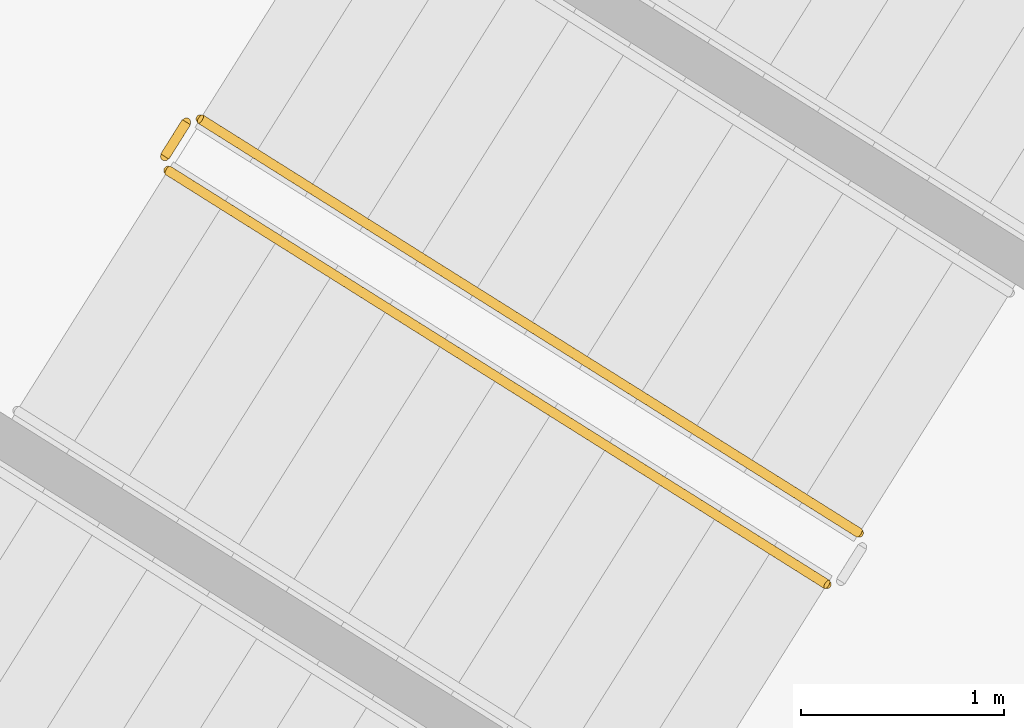
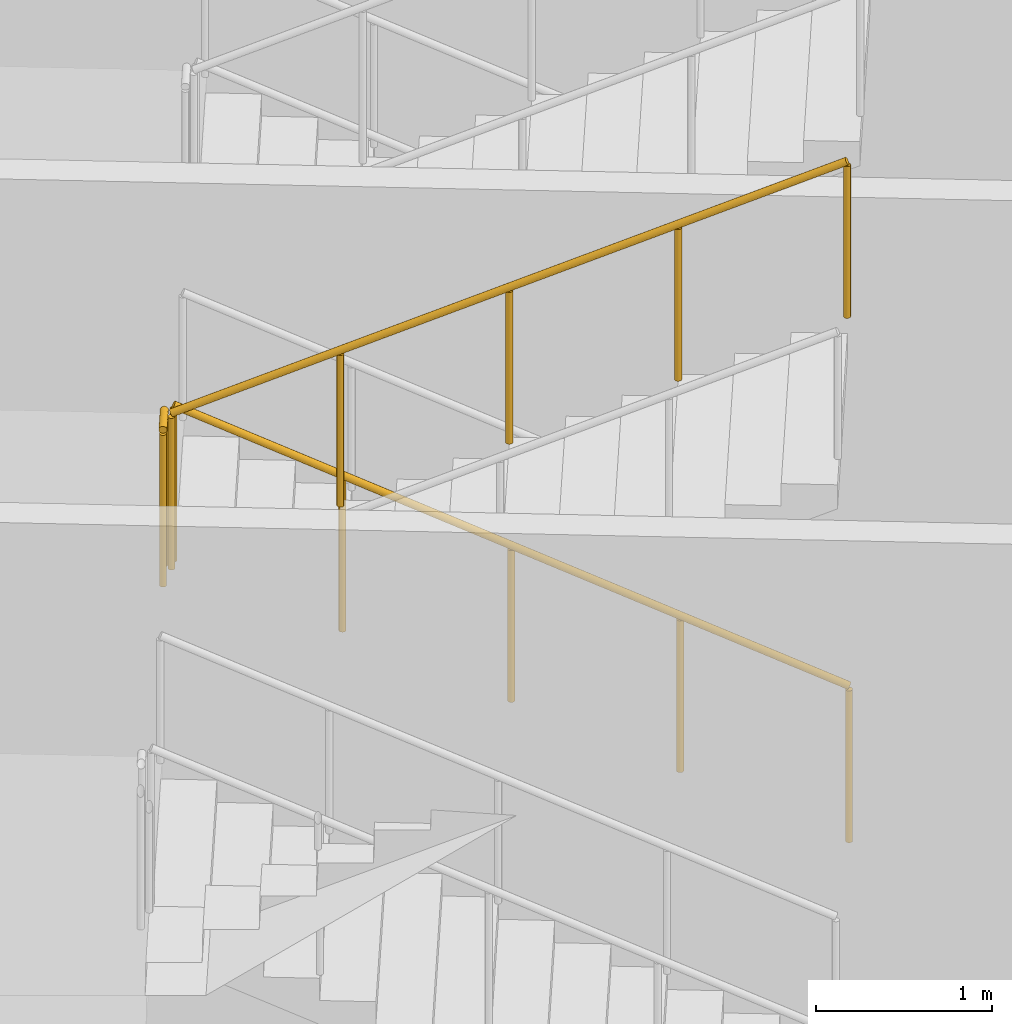
# One storey, part 129 of 142: 3 railings.
"""IFC4 building model written with IfcOpenShell, lengths in metres."""

from ifc_helpers import new_model, si_unit, direction, frame, origin, origin_2d, place, context, subcontext, project, spatial, circle, extrude, material, type_object, element, save


model = new_model("IFC4")

# Units and contexts
model_context = context("Model", 3, precision=1e-05, world=origin(), true_north=direction((0.0, 1.0)))
body_context = subcontext(model_context, "Body", "Model", "MODEL_VIEW")
ifc_project = project(units=[si_unit("LENGTHUNIT", "METRE"), si_unit("AREAUNIT", "SQUARE_METRE"), si_unit("VOLUMEUNIT", "CUBIC_METRE"), si_unit("PLANEANGLEUNIT", "RADIAN"), si_unit("MASSUNIT", "GRAM", prefix="KILO")], contexts=[model_context])

# Site, building, storey
site_placement = place(None, origin())
site = spatial("IfcSite", under=ifc_project, at=site_placement, CompositionType="ELEMENT")
building_placement = place(site_placement, origin())
building = spatial("IfcBuilding", under=site, at=building_placement, Name="Meseta Stadium", CompositionType="ELEMENT")
storey_placement = place(building_placement, frame((0.0, 0.0, -4.0)))
storey = spatial("IfcBuildingStorey", under=building, at=storey_placement, Name="B1", CompositionType="ELEMENT", Elevation=-4.0)

# Railings
ifc_material = material(Name="Steel S355", Category="steel")
railing_type = type_object("IfcRailingType", Name="Stair guard 1100", PredefinedType="GUARDRAIL", material=ifc_material)
railing_1_placement = place(storey_placement, frame((-84.165283203125, 72.150146484375, 0.15380859375)))
element("IfcRailing", 1, at=railing_1_placement, inside=storey, type_object=railing_type, Name="ST55 B1 guard 1", PredefinedType="GUARDRAIL", context=body_context, shape_type="SweptSolid", body=[
    extrude(circle(Radius=0.02392578125, at=origin_2d()), frame((0.0, 0.0, 1.076171875), z_axis=(-0.763092651012, 0.479504340592, 0.433318812567), x_axis=(-0.532049138955, -0.846713477947, 0.0)), (0.0, 0.0, 1.0), 4.260498046875),
    extrude(circle(Radius=0.02099609375, at=origin_2d()), origin(), (0.0, 0.0, 1.0), 1.052001953125),
    extrude(circle(Radius=0.02099609375, at=origin_2d()), frame((-0.812744140625, 0.5107421875, 0.46142578125)), (0.0, 0.0, 1.0), 1.052001953125),
    extrude(circle(Radius=0.02099609375, at=origin_2d()), frame((-1.62548828125, 1.021484375, 0.923095703125)), (0.0, 0.0, 1.0), 1.052001953125),
    extrude(circle(Radius=0.02099609375, at=origin_2d()), frame((-2.4384765625, 1.5322265625, 1.384765625)), (0.0, 0.0, 1.0), 1.052001953125),
    extrude(circle(Radius=0.02099609375, at=origin_2d()), frame((-3.251220703125, 2.04296875, 1.84619140625)), (0.0, 0.0, 1.0), 1.052001953125),
])
railing_2_placement = place(storey_placement, frame((-87.485595703125, 74.177490234375, 2.0)))
element("IfcRailing", 2, at=railing_2_placement, inside=storey, type_object=railing_type, Name="ST55 B1 guard 2", PredefinedType="GUARDRAIL", context=body_context, shape_type="SweptSolid", body=[
    extrude(circle(Radius=0.02392578125, at=origin_2d()), frame((0.0, 0.0, 1.076171875), z_axis=(-0.531971628011, -0.846762178531, 0.0), x_axis=(0.846762178531, -0.531971628011, 0.0)), (0.0, 0.0, 1.0), 0.2001953125),
    extrude(circle(Radius=0.02099609375, at=origin_2d()), origin(), (0.0, 0.0, 1.0), 1.052001953125),
    extrude(circle(Radius=0.02099609375, at=origin_2d()), frame((-0.1064453125, -0.16943359375, 0.0)), (0.0, 0.0, 1.0), 1.052001953125),
])
railing_3_placement = place(storey_placement, frame((-87.576171875, 73.939208984375, 2.15380859375)))
element("IfcRailing", 3, at=railing_3_placement, inside=storey, type_object=railing_type, Name="ST55 B1 guard 3", PredefinedType="GUARDRAIL", context=body_context, shape_type="SweptSolid", body=[
    extrude(circle(Radius=0.02392578125, at=origin_2d()), frame((0.0, 0.0, 1.076171875), z_axis=(0.763116583952, -0.479483373968, 0.433299865434), x_axis=(0.532020497206, 0.84673147488, 0.0)), (0.0, 0.0, 1.0), 4.2607421875),
    extrude(circle(Radius=0.02099609375, at=origin_2d()), origin(), (0.0, 0.0, 1.0), 1.052001953125),
    extrude(circle(Radius=0.02099609375, at=origin_2d()), frame((0.81298828125, -0.5107421875, 0.46142578125)), (0.0, 0.0, 1.0), 1.052001953125),
    extrude(circle(Radius=0.02099609375, at=origin_2d()), frame((1.625732421875, -1.021484375, 0.923095703125)), (0.0, 0.0, 1.0), 1.052001953125),
    extrude(circle(Radius=0.02099609375, at=origin_2d()), frame((2.4384765625, -1.5322265625, 1.384765625)), (0.0, 0.0, 1.0), 1.052001953125),
    extrude(circle(Radius=0.02099609375, at=origin_2d()), frame((3.25146484375, -2.04296875, 1.84619140625)), (0.0, 0.0, 1.0), 1.052001953125),
])

save(model, "model.ifc")
